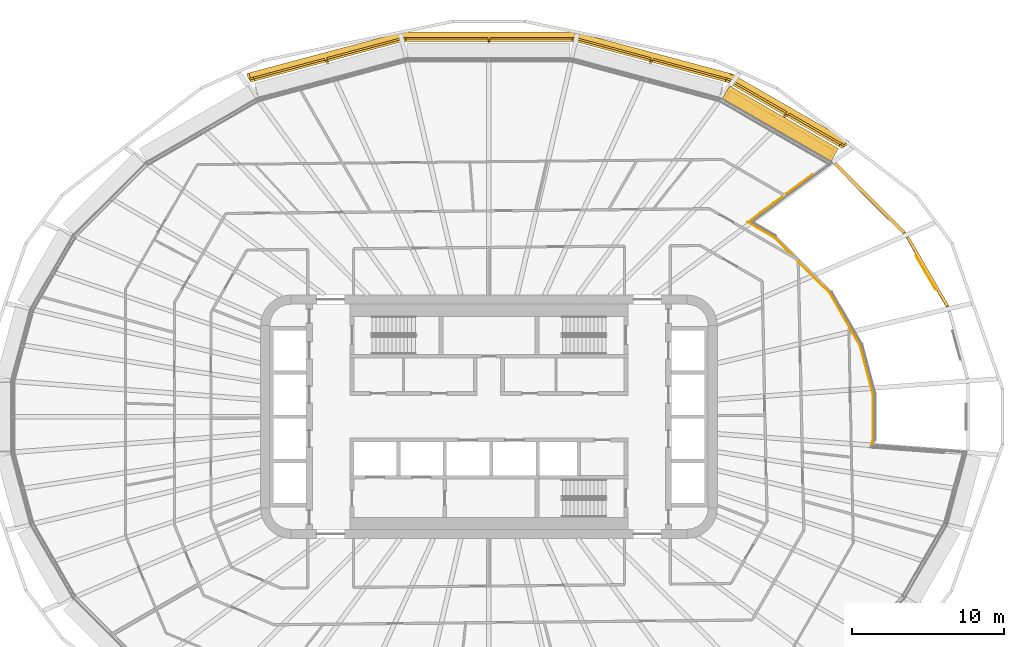
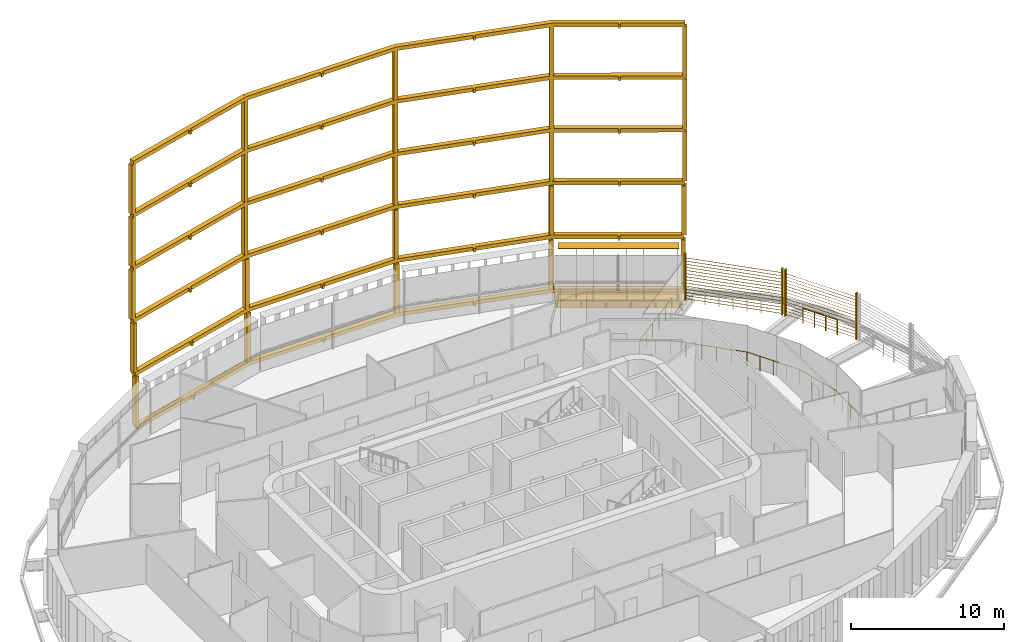
# One storey, part 27 of 28: 5 shading devices, 2 railings.
"""IFC4 building model written with IfcOpenShell, lengths in metres."""

from ifc_helpers import new_model, si_unit, direction, frame, origin, origin_2d, place, context, subcontext, project, spatial, polyline, rectangle, circle, outline, extrude, material, type_object, element, save


model = new_model("IFC4")

# Units and contexts
model_context = context("Model", 3, precision=1e-05, world=origin(), true_north=direction((0.0, 1.0)))
body_context = subcontext(model_context, "Body", "Model", "MODEL_VIEW")
ifc_project = project(units=[si_unit("LENGTHUNIT", "METRE"), si_unit("AREAUNIT", "SQUARE_METRE"), si_unit("VOLUMEUNIT", "CUBIC_METRE"), si_unit("PLANEANGLEUNIT", "RADIAN"), si_unit("MASSUNIT", "GRAM", prefix="KILO")], contexts=[model_context])

# Site, building, storey
site_placement = place(None, origin())
site = spatial("IfcSite", under=ifc_project, at=site_placement, CompositionType="ELEMENT")
building_placement = place(site_placement, origin())
building = spatial("IfcBuilding", under=site, at=building_placement, Name="Sahrelin Media Tower", CompositionType="ELEMENT")
storey_placement = place(building_placement, frame((0.0, 0.0, 75.60009765625)))
storey = spatial("IfcBuildingStorey", under=building, at=storey_placement, Name="L13", CompositionType="ELEMENT", Elevation=75.60009765625)

# Shading devices
ifc_material_1 = material(Name="Dark bronze anodised aluminium 6063-T6", Category="aluminium")
shading_device_type_1 = type_object("IfcShadingDeviceType", Name="Deep frame", PredefinedType="USERDEFINED", material=ifc_material_1)
shading_device_1_placement = place(storey_placement, frame((22.530029296875, 16.681396484375, 0.0), z_axis=(0.0, 0.0, 1.0), x_axis=(0.866019052629, -0.500011000363, 0.0)))
element("IfcShadingDevice", 1, at=shading_device_1_placement, inside=storey, type_object=shading_device_type_1, Name="L13:FRAME:F1-2", ObjectType="FRAME", PredefinedType="USERDEFINED", context=body_context, shape_type="SweptSolid", body=[
    extrude(rectangle(XDim=0.300048828125, YDim=0.35009765625, at=origin_2d()), frame((0.0, 1.324951171875, 0.14990234375), z_axis=(0.0, 0.0, 1.0), x_axis=(-1.0, 0.0, 0.0)), (0.0, 0.0, 1.0), 3.900146484375),
    extrude(rectangle(XDim=0.300048828125, YDim=0.35009765625, at=origin_2d()), frame((-8.617919921875, 1.313720703125, 0.14990234375), z_axis=(0.0, 0.0, 1.0), x_axis=(-0.991434606813, -0.130604059715, 0.0)), (0.0, 0.0, 1.0), 3.900146484375),
    extrude(rectangle(XDim=0.300048828125, YDim=0.35009765625, at=origin_2d()), frame((-18.732177734375, -1.396484375, 0.14990234375), z_axis=(0.0, 0.0, 1.0), x_axis=(-0.923912256654, -0.382604419741, 0.0)), (0.0, 0.0, 1.0), 3.900146484375),
    extrude(rectangle(XDim=0.300048828125, YDim=0.35009765625, at=origin_2d()), frame((-28.447998046875, -7.006103515625, 0.14990234375), z_axis=(0.0, 0.0, 1.0), x_axis=(-0.793400087474, -0.608700502051, 0.0)), (0.0, 0.0, 1.0), 3.900146484375),
    extrude(rectangle(XDim=0.300048828125, YDim=0.35009765625, at=origin_2d()), frame((-35.73779296875, -14.27978515625, 0.14990234375), z_axis=(0.0, 0.0, 1.0), x_axis=(-0.707106781187, -0.707106781187, 0.0)), (0.0, 0.0, 1.0), 3.900146484375),
    extrude(outline(polyline([(-4.297607421875, 0.969970703125), (-4.1474609375, 0.969970703125), (-4.1474609375, 1.14453125), (0.000244140625, 1.14990234375), (-0.000244140625, 1.5), (-8.6181640625, 1.48876953125), (-8.617919921875, 1.313720703125), (-8.6630859375, 1.482666015625), (-18.77734375, -1.227294921875), (-18.732177734375, -1.396484375), (-18.819580078125, -1.244873046875), (-28.535400390625, -6.8544921875), (-28.447998046875, -7.006103515625), (-28.571533203125, -6.882080078125), (-35.861328125, -14.156005859375), (-35.614013671875, -14.40380859375), (-32.08349609375, -10.880615234375), (-31.9599609375, -11.004150390625), (-31.85400390625, -10.89794921875), (-31.977294921875, -10.774658203125), (-28.340576171875, -7.14599609375), (-23.5673828125, -4.390380859375), (-23.483154296875, -4.536376953125), (-23.353271484375, -4.461181640625), (-23.4375, -4.315185546875), (-18.66455078125, -1.5595703125), (-13.7021484375, -0.229736328125), (-13.658447265625, -0.392822265625), (-13.513671875, -0.35400390625), (-13.55712890625, -0.19091796875), (-8.5947265625, 1.138671875), (-4.297607421875, 1.144287109375), (-4.297607421875, 0.969970703125)])), frame((0.0, 0.0, -0.14990234375)), (0.0, 0.0, 1.0), 0.2998046875),
    extrude(rectangle(XDim=0.300048828125, YDim=0.35009765625, at=origin_2d()), frame((0.061279296875, 1.476318359375, 4.35009765625), z_axis=(0.0, 0.0, 1.0), x_axis=(-1.0, 0.0, 0.0)), (0.0, 0.0, 1.0), 3.89990234375),
    extrude(rectangle(XDim=0.300048828125, YDim=0.35009765625, at=origin_2d()), frame((-8.60546875, 1.46484375, 4.35009765625), z_axis=(0.0, 0.0, 1.0), x_axis=(-0.991449189241, -0.130493314592, 0.0)), (0.0, 0.0, 1.0), 3.89990234375),
    extrude(rectangle(XDim=0.300048828125, YDim=0.35009765625, at=origin_2d()), frame((-18.775390625, -1.260009765625, 4.35009765625), z_axis=(0.0, 0.0, 1.0), x_axis=(-0.923862165937, -0.382725356294, 0.0)), (0.0, 0.0, 1.0), 3.89990234375),
    extrude(rectangle(XDim=0.300048828125, YDim=0.35009765625, at=origin_2d()), frame((-28.544189453125, -6.900390625, 4.35009765625), z_axis=(0.0, 0.0, 1.0), x_axis=(-0.793352277801, -0.608762813671, 0.0)), (0.0, 0.0, 1.0), 3.89990234375),
    extrude(rectangle(XDim=0.300048828125, YDim=0.35009765625, at=origin_2d()), frame((-35.874755859375, -14.21484375, 4.35009765625), z_axis=(0.0, 0.0, 1.0), x_axis=(-0.707106781187, -0.707106781187, 0.0)), (0.0, 0.0, 1.0), 3.89990234375),
    extrude(outline(polyline([(-4.2607421875, 1.121337890625), (-4.110595703125, 1.121337890625), (-4.110595703125, 1.2958984375), (0.0615234375, 1.30126953125), (0.06103515625, 1.6513671875), (-8.605712890625, 1.639892578125), (-8.60546875, 1.46484375), (-8.65087890625, 1.6337890625), (-18.820556640625, -1.091064453125), (-18.775390625, -1.260009765625), (-18.86279296875, -1.108642578125), (-28.6318359375, -6.748779296875), (-28.544189453125, -6.900390625), (-28.66796875, -6.7763671875), (-35.998291015625, -14.091064453125), (-35.751220703125, -14.3388671875), (-32.2001953125, -10.79541015625), (-32.076904296875, -10.918701171875), (-31.970703125, -10.812744140625), (-32.093994140625, -10.689453125), (-28.43701171875, -7.040283203125), (-23.63720703125, -4.269287109375), (-23.552978515625, -4.415283203125), (-23.423095703125, -4.34033203125), (-23.50732421875, -4.1943359375), (-18.707763671875, -1.423095703125), (-13.717529296875, -0.086181640625), (-13.673828125, -0.2490234375), (-13.529052734375, -0.210205078125), (-13.57275390625, -0.047119140625), (-8.58251953125, 1.289794921875), (-4.2607421875, 1.295654296875), (-4.2607421875, 1.121337890625)])), frame((0.0, 0.0, 4.050048828125)), (0.0, 0.0, 1.0), 0.300048828125),
    extrude(rectangle(XDim=0.300048828125, YDim=0.35009765625, at=origin_2d()), frame((0.114990234375, 1.6083984375, 8.550048828125), z_axis=(0.0, 0.0, 1.0), x_axis=(-1.0, 0.0, 0.0)), (0.0, 0.0, 1.0), 3.89990234375),
    extrude(rectangle(XDim=0.300048828125, YDim=0.35009765625, at=origin_2d()), frame((-8.5947265625, 1.59716796875, 8.550048828125), z_axis=(0.0, 0.0, 1.0), x_axis=(-0.991447594891, -0.130505427419, 0.0)), (0.0, 0.0, 1.0), 3.89990234375),
    extrude(rectangle(XDim=0.300048828125, YDim=0.35009765625, at=origin_2d()), frame((-18.813232421875, -1.140869140625, 8.550048828125), z_axis=(0.0, 0.0, 1.0), x_axis=(-0.923876860854, -0.382689882252, 0.0)), (0.0, 0.0, 1.0), 3.89990234375),
    extrude(rectangle(XDim=0.300048828125, YDim=0.35009765625, at=origin_2d()), frame((-28.628662109375, -6.807861328125, 8.550048828125), z_axis=(0.0, 0.0, 1.0), x_axis=(-0.793315089117, -0.608811275668, 0.0)), (0.0, 0.0, 1.0), 3.89990234375),
    extrude(rectangle(XDim=0.300048828125, YDim=0.35009765625, at=origin_2d()), frame((-35.994873046875, -14.158203125, 8.550048828125), z_axis=(0.0, 0.0, 1.0), x_axis=(-0.707106781187, -0.707106781187, 0.0)), (0.0, 0.0, 1.0), 3.89990234375),
    extrude(outline(polyline([(-4.228515625, 1.253662109375), (-4.078369140625, 1.253662109375), (-4.078369140625, 1.427978515625), (0.114990234375, 1.43359375), (0.11474609375, 1.783447265625), (-8.594970703125, 1.772216796875), (-8.5947265625, 1.59716796875), (-8.64013671875, 1.766357421875), (-18.8583984375, -0.971923828125), (-18.813232421875, -1.140869140625), (-18.900634765625, -0.9892578125), (-28.71630859375, -6.65625), (-28.628662109375, -6.807861328125), (-28.752197265625, -6.68408203125), (-36.118408203125, -14.0341796875), (-35.87109375, -14.281982421875), (-32.30224609375, -10.720703125), (-32.178955078125, -10.84423828125), (-32.07275390625, -10.738037109375), (-32.196044921875, -10.61474609375), (-28.521240234375, -6.947998046875), (-23.698486328125, -4.163330078125), (-23.614013671875, -4.3095703125), (-23.484130859375, -4.234619140625), (-23.568603515625, -4.08837890625), (-18.74560546875, -1.303955078125), (-13.731201171875, 0.039794921875), (-13.6875, -0.123291015625), (-13.54248046875, -0.08447265625), (-13.586181640625, 0.07861328125), (-8.571533203125, 1.422119140625), (-4.228515625, 1.427978515625), (-4.228515625, 1.253662109375)])), frame((0.0, 0.0, 8.25)), (0.0, 0.0, 1.0), 0.300048828125),
    extrude(rectangle(XDim=0.300048828125, YDim=0.35009765625, at=origin_2d()), frame((0.114990234375, 1.6083984375, 12.75), z_axis=(0.0, 0.0, 1.0), x_axis=(-1.0, 0.0, 0.0)), (0.0, 0.0, 1.0), 3.89990234375),
    extrude(rectangle(XDim=0.300048828125, YDim=0.35009765625, at=origin_2d()), frame((-8.5947265625, 1.59716796875, 12.75), z_axis=(0.0, 0.0, 1.0), x_axis=(-0.991447594891, -0.130505427419, 0.0)), (0.0, 0.0, 1.0), 3.89990234375),
    extrude(rectangle(XDim=0.300048828125, YDim=0.35009765625, at=origin_2d()), frame((-18.813232421875, -1.140869140625, 12.75), z_axis=(0.0, 0.0, 1.0), x_axis=(-0.923876860854, -0.382689882252, 0.0)), (0.0, 0.0, 1.0), 3.89990234375),
    extrude(rectangle(XDim=0.300048828125, YDim=0.35009765625, at=origin_2d()), frame((-28.628662109375, -6.807861328125, 12.75), z_axis=(0.0, 0.0, 1.0), x_axis=(-0.793315089117, -0.608811275668, 0.0)), (0.0, 0.0, 1.0), 3.89990234375),
    extrude(rectangle(XDim=0.300048828125, YDim=0.35009765625, at=origin_2d()), frame((-35.994873046875, -14.158203125, 12.75), z_axis=(0.0, 0.0, 1.0), x_axis=(-0.707106781187, -0.707106781187, 0.0)), (0.0, 0.0, 1.0), 3.89990234375),
    extrude(outline(polyline([(-4.228515625, 1.253662109375), (-4.078369140625, 1.253662109375), (-4.078369140625, 1.427978515625), (0.114990234375, 1.43359375), (0.11474609375, 1.783447265625), (-8.594970703125, 1.772216796875), (-8.5947265625, 1.59716796875), (-8.64013671875, 1.766357421875), (-18.8583984375, -0.971923828125), (-18.813232421875, -1.140869140625), (-18.900634765625, -0.9892578125), (-28.71630859375, -6.65625), (-28.628662109375, -6.807861328125), (-28.752197265625, -6.68408203125), (-36.118408203125, -14.0341796875), (-35.87109375, -14.281982421875), (-32.30224609375, -10.720703125), (-32.178955078125, -10.84423828125), (-32.07275390625, -10.738037109375), (-32.196044921875, -10.61474609375), (-28.521240234375, -6.947998046875), (-23.698486328125, -4.163330078125), (-23.614013671875, -4.3095703125), (-23.484130859375, -4.234619140625), (-23.568603515625, -4.08837890625), (-18.74560546875, -1.303955078125), (-13.731201171875, 0.039794921875), (-13.6875, -0.123291015625), (-13.54248046875, -0.08447265625), (-13.586181640625, 0.07861328125), (-8.571533203125, 1.422119140625), (-4.228515625, 1.427978515625), (-4.228515625, 1.253662109375)])), frame((0.0, 0.0, 12.449951171875)), (0.0, 0.0, 1.0), 0.300048828125),
    extrude(rectangle(XDim=0.300048828125, YDim=0.35009765625, at=origin_2d()), frame((0.114990234375, 1.6083984375, 16.949951171875), z_axis=(0.0, 0.0, 1.0), x_axis=(-1.0, 0.0, 0.0)), (0.0, 0.0, 1.0), 3.900146484375),
    extrude(rectangle(XDim=0.300048828125, YDim=0.35009765625, at=origin_2d()), frame((-8.5947265625, 1.59716796875, 16.949951171875), z_axis=(0.0, 0.0, 1.0), x_axis=(-0.991447594891, -0.130505427419, 0.0)), (0.0, 0.0, 1.0), 3.900146484375),
    extrude(rectangle(XDim=0.300048828125, YDim=0.35009765625, at=origin_2d()), frame((-18.813232421875, -1.140869140625, 16.949951171875), z_axis=(0.0, 0.0, 1.0), x_axis=(-0.923876860854, -0.382689882252, 0.0)), (0.0, 0.0, 1.0), 3.900146484375),
    extrude(rectangle(XDim=0.300048828125, YDim=0.35009765625, at=origin_2d()), frame((-28.628662109375, -6.807861328125, 16.949951171875), z_axis=(0.0, 0.0, 1.0), x_axis=(-0.793315089117, -0.608811275668, 0.0)), (0.0, 0.0, 1.0), 3.900146484375),
    extrude(rectangle(XDim=0.300048828125, YDim=0.35009765625, at=origin_2d()), frame((-35.994873046875, -14.158203125, 16.949951171875), z_axis=(0.0, 0.0, 1.0), x_axis=(-0.707106781187, -0.707106781187, 0.0)), (0.0, 0.0, 1.0), 3.900146484375),
    extrude(outline(polyline([(-4.228515625, 1.253662109375), (-4.078369140625, 1.253662109375), (-4.078369140625, 1.427978515625), (0.114990234375, 1.43359375), (0.11474609375, 1.783447265625), (-8.594970703125, 1.772216796875), (-8.5947265625, 1.59716796875), (-8.64013671875, 1.766357421875), (-18.8583984375, -0.971923828125), (-18.813232421875, -1.140869140625), (-18.900634765625, -0.9892578125), (-28.71630859375, -6.65625), (-28.628662109375, -6.807861328125), (-28.752197265625, -6.68408203125), (-36.118408203125, -14.0341796875), (-35.87109375, -14.281982421875), (-32.30224609375, -10.720703125), (-32.178955078125, -10.84423828125), (-32.07275390625, -10.738037109375), (-32.196044921875, -10.61474609375), (-28.521240234375, -6.947998046875), (-23.698486328125, -4.163330078125), (-23.614013671875, -4.3095703125), (-23.484130859375, -4.234619140625), (-23.568603515625, -4.08837890625), (-18.74560546875, -1.303955078125), (-13.731201171875, 0.039794921875), (-13.6875, -0.123291015625), (-13.54248046875, -0.08447265625), (-13.586181640625, 0.07861328125), (-8.571533203125, 1.422119140625), (-4.228515625, 1.427978515625), (-4.228515625, 1.253662109375)])), frame((0.0, 0.0, 16.64990234375)), (0.0, 0.0, 1.0), 0.300048828125),
    extrude(outline(polyline([(-4.228515625, 1.253662109375), (-4.078369140625, 1.253662109375), (-4.078369140625, 1.427978515625), (0.114990234375, 1.43359375), (0.11474609375, 1.783447265625), (-8.594970703125, 1.772216796875), (-8.5947265625, 1.59716796875), (-8.64013671875, 1.766357421875), (-18.8583984375, -0.971923828125), (-18.813232421875, -1.140869140625), (-18.900634765625, -0.9892578125), (-28.71630859375, -6.65625), (-28.628662109375, -6.807861328125), (-28.752197265625, -6.68408203125), (-36.118408203125, -14.0341796875), (-35.87109375, -14.281982421875), (-32.30224609375, -10.720703125), (-32.178955078125, -10.84423828125), (-32.07275390625, -10.738037109375), (-32.196044921875, -10.61474609375), (-28.521240234375, -6.947998046875), (-23.698486328125, -4.163330078125), (-23.614013671875, -4.3095703125), (-23.484130859375, -4.234619140625), (-23.568603515625, -4.08837890625), (-18.74560546875, -1.303955078125), (-13.731201171875, 0.039794921875), (-13.6875, -0.123291015625), (-13.54248046875, -0.08447265625), (-13.586181640625, 0.07861328125), (-8.571533203125, 1.422119140625), (-4.228515625, 1.427978515625), (-4.228515625, 1.253662109375)])), frame((0.0, 0.0, 20.85009765625)), (0.0, 0.0, 1.0), 0.2998046875),
])
ifc_material_2 = material(Name="Champagne anodised aluminium 6063-T6", Category="aluminium")
shading_device_type_2 = type_object("IfcShadingDeviceType", Name="Fin cassette", PredefinedType="USERDEFINED", material=ifc_material_2)
placement = place(storey_placement, frame((18.873291015625, 18.79248046875, 0.0), z_axis=(0.0, 0.0, 1.0), x_axis=(0.866019052629, -0.500011000363, 0.0)))
element("IfcShadingDevice", 2, at=placement, inside=storey, type_object=shading_device_type_2, Name="L13:FIN:L13-04", ObjectType="FIN", PredefinedType="USERDEFINED", context=body_context, shape_type="SweptSolid", body=[
    extrude(rectangle(XDim=7.89990234375, YDim=0.699951171875, at=origin_2d()), frame((0.0, 0.419921875, 0.0)), (0.0, 0.0, 1.0), 0.02001953125),
    extrude(rectangle(XDim=7.89990234375, YDim=0.699951171875, at=origin_2d()), frame((0.0, 0.419921875, 4.10009765625)), (0.0, 0.0, 1.0), 0.02001953125),
    extrude(rectangle(XDim=0.02001953125, YDim=0.699951171875, at=origin_2d()), frame((-3.85009765625, 0.419921875, 0.010009765625), z_axis=(0.0, 0.0, 1.0), x_axis=(1.0, 0.0, 0.0)), (0.0, 0.0, 1.0), 4.10009765625),
    extrude(rectangle(XDim=0.02001953125, YDim=0.699951171875, at=origin_2d()), frame((-2.75, 0.419921875, 0.010009765625), z_axis=(0.0, 0.0, 1.0), x_axis=(1.0, 0.0, 0.0)), (0.0, 0.0, 1.0), 4.10009765625),
    extrude(rectangle(XDim=0.02001953125, YDim=0.699951171875, at=origin_2d()), frame((-1.64990234375, 0.419921875, 0.010009765625), z_axis=(0.0, 0.0, 1.0), x_axis=(1.0, 0.0, 0.0)), (0.0, 0.0, 1.0), 4.10009765625),
    extrude(rectangle(XDim=0.02001953125, YDim=0.699951171875, at=origin_2d()), frame((-0.550048828125, 0.419921875, 0.010009765625), z_axis=(0.0, 0.0, 1.0), x_axis=(1.0, 0.0, 0.0)), (0.0, 0.0, 1.0), 4.10009765625),
    extrude(rectangle(XDim=0.02001953125, YDim=0.699951171875, at=origin_2d()), frame((0.550048828125, 0.419921875, 0.010009765625), z_axis=(0.0, 0.0, 1.0), x_axis=(1.0, 0.0, 0.0)), (0.0, 0.0, 1.0), 4.10009765625),
    extrude(rectangle(XDim=0.02001953125, YDim=0.699951171875, at=origin_2d()), frame((1.64990234375, 0.419921875, 0.010009765625), z_axis=(0.0, 0.0, 1.0), x_axis=(1.0, 0.0, 0.0)), (0.0, 0.0, 1.0), 4.10009765625),
    extrude(rectangle(XDim=0.02001953125, YDim=0.699951171875, at=origin_2d()), frame((2.75, 0.419921875, 0.010009765625), z_axis=(0.0, 0.0, 1.0), x_axis=(1.0, 0.0, 0.0)), (0.0, 0.0, 1.0), 4.10009765625),
    extrude(rectangle(XDim=0.02001953125, YDim=0.699951171875, at=origin_2d()), frame((3.85009765625, 0.419921875, 0.010009765625), z_axis=(0.0, 0.0, 1.0), x_axis=(1.0, 0.0, 0.0)), (0.0, 0.0, 1.0), 4.10009765625),
])
shading_device_type_3 = type_object("IfcShadingDeviceType", Name="Garden screen", PredefinedType="USERDEFINED", material=ifc_material_2)
shading_device_3_placement = place(storey_placement, frame((28.711181640625, 9.48046875, 0.0), z_axis=(0.0, 0.0, 1.0), x_axis=(0.500011000363, -0.866019052629, 0.0)))
element("IfcShadingDevice", 3, at=shading_device_3_placement, inside=storey, type_object=shading_device_type_3, Name="L13:SCREEN:L13-02", ObjectType="SCREEN", PredefinedType="USERDEFINED", context=body_context, shape_type="SweptSolid", body=[
    extrude(rectangle(XDim=0.1201171875, YDim=0.199951171875, at=origin_2d()), frame((2.675537109375, 0.10009765625, 0.050048828125), z_axis=(0.0, 0.0, 1.0), x_axis=(1.0, 0.0, 0.0)), (0.0, 0.0, 1.0), 3.698486328125),
    extrude(rectangle(XDim=0.1201171875, YDim=0.199951171875, at=origin_2d()), frame((-2.675537109375, 0.10009765625, 0.050048828125), z_axis=(0.0, 0.0, 1.0), x_axis=(1.0, 0.0, 0.0)), (0.0, 0.0, 1.0), 3.698486328125),
    extrude(rectangle(XDim=0.25, YDim=0.02001953125, at=origin_2d()), frame((2.615478515625, 0.10009765625, 0.14990234375), z_axis=(-1.0, 0.0, 0.0), x_axis=(0.0, -0.766044443119, 0.642787609687)), (0.0, 0.0, 1.0), 5.23095703125),
    extrude(rectangle(XDim=0.25, YDim=0.02001953125, at=origin_2d()), frame((2.615478515625, 0.10009765625, 0.39990234375), z_axis=(-1.0, 0.0, 0.0), x_axis=(0.0, -0.766044443119, 0.642787609687)), (0.0, 0.0, 1.0), 5.23095703125),
    extrude(rectangle(XDim=0.25, YDim=0.02001953125, at=origin_2d()), frame((2.615478515625, 0.10009765625, 0.64990234375), z_axis=(-1.0, 0.0, 0.0), x_axis=(0.0, -0.766044443119, 0.642787609687)), (0.0, 0.0, 1.0), 5.23095703125),
    extrude(rectangle(XDim=0.25, YDim=0.02001953125, at=origin_2d()), frame((2.615478515625, 0.10009765625, 0.89990234375), z_axis=(-1.0, 0.0, 0.0), x_axis=(0.0, -0.766044443119, 0.642787609687)), (0.0, 0.0, 1.0), 5.23095703125),
    extrude(rectangle(XDim=0.25, YDim=0.02001953125, at=origin_2d()), frame((2.615478515625, 0.10009765625, 1.14990234375), z_axis=(-1.0, 0.0, 0.0), x_axis=(0.0, -0.766044443119, 0.642787609687)), (0.0, 0.0, 1.0), 5.23095703125),
    extrude(rectangle(XDim=0.25, YDim=0.02001953125, at=origin_2d()), frame((2.615478515625, 0.10009765625, 1.39990234375), z_axis=(-1.0, 0.0, 0.0), x_axis=(0.0, -0.766044443119, 0.642787609687)), (0.0, 0.0, 1.0), 5.23095703125),
    extrude(rectangle(XDim=0.25, YDim=0.02001953125, at=origin_2d()), frame((2.615478515625, 0.10009765625, 1.64990234375), z_axis=(-1.0, 0.0, 0.0), x_axis=(0.0, -0.766044443119, 0.642787609687)), (0.0, 0.0, 1.0), 5.23095703125),
    extrude(rectangle(XDim=0.25, YDim=0.02001953125, at=origin_2d()), frame((2.615478515625, 0.10009765625, 1.89990234375), z_axis=(-1.0, 0.0, 0.0), x_axis=(0.0, -0.766044443119, 0.642787609687)), (0.0, 0.0, 1.0), 5.23095703125),
    extrude(rectangle(XDim=0.25, YDim=0.02001953125, at=origin_2d()), frame((2.615478515625, 0.10009765625, 2.14990234375), z_axis=(-1.0, 0.0, 0.0), x_axis=(0.0, -0.766044443119, 0.642787609687)), (0.0, 0.0, 1.0), 5.23095703125),
    extrude(rectangle(XDim=0.25, YDim=0.02001953125, at=origin_2d()), frame((2.615478515625, 0.10009765625, 2.39990234375), z_axis=(-1.0, 0.0, 0.0), x_axis=(0.0, -0.766044443119, 0.642787609687)), (0.0, 0.0, 1.0), 5.23095703125),
    extrude(rectangle(XDim=0.25, YDim=0.02001953125, at=origin_2d()), frame((2.615478515625, 0.10009765625, 2.64990234375), z_axis=(-1.0, 0.0, 0.0), x_axis=(0.0, -0.766044443119, 0.642787609687)), (0.0, 0.0, 1.0), 5.23095703125),
    extrude(rectangle(XDim=0.25, YDim=0.02001953125, at=origin_2d()), frame((2.615478515625, 0.10009765625, 2.89990234375), z_axis=(-1.0, 0.0, 0.0), x_axis=(0.0, -0.766044443119, 0.642787609687)), (0.0, 0.0, 1.0), 5.23095703125),
    extrude(rectangle(XDim=0.25, YDim=0.02001953125, at=origin_2d()), frame((2.615478515625, 0.10009765625, 3.14990234375), z_axis=(-1.0, 0.0, 0.0), x_axis=(0.0, -0.766044443119, 0.642787609687)), (0.0, 0.0, 1.0), 5.23095703125),
    extrude(rectangle(XDim=0.25, YDim=0.02001953125, at=origin_2d()), frame((2.615478515625, 0.10009765625, 3.39990234375), z_axis=(-1.0, 0.0, 0.0), x_axis=(0.0, -0.766044443119, 0.642787609687)), (0.0, 0.0, 1.0), 5.23095703125),
])
shading_device_4_placement = place(storey_placement, frame((24.92431640625, 14.287109375, 0.0), z_axis=(0.0, 0.0, 1.0), x_axis=(0.707106781187, -0.707106781187, 0.0)))
element("IfcShadingDevice", 4, at=shading_device_4_placement, inside=storey, type_object=shading_device_type_3, Name="L13:SCREEN:L13-03", ObjectType="SCREEN", PredefinedType="USERDEFINED", context=body_context, shape_type="SweptSolid", body=[
    extrude(rectangle(XDim=0.1201171875, YDim=0.199951171875, at=origin_2d()), frame((3.27587890625, 0.10009765625, 0.050048828125), z_axis=(0.0, 0.0, 1.0), x_axis=(1.0, 0.0, 0.0)), (0.0, 0.0, 1.0), 3.698486328125),
    extrude(rectangle(XDim=0.1201171875, YDim=0.199951171875, at=origin_2d()), frame((-3.27587890625, 0.10009765625, 0.050048828125), z_axis=(0.0, 0.0, 1.0), x_axis=(1.0, 0.0, 0.0)), (0.0, 0.0, 1.0), 3.698486328125),
    extrude(rectangle(XDim=0.25, YDim=0.02001953125, at=origin_2d()), frame((3.2158203125, 0.10009765625, 0.14990234375), z_axis=(-1.0, 0.0, 0.0), x_axis=(0.0, -0.766044443119, 0.642787609687)), (0.0, 0.0, 1.0), 6.431640625),
    extrude(rectangle(XDim=0.25, YDim=0.02001953125, at=origin_2d()), frame((3.2158203125, 0.10009765625, 0.39990234375), z_axis=(-1.0, 0.0, 0.0), x_axis=(0.0, -0.766044443119, 0.642787609687)), (0.0, 0.0, 1.0), 6.431640625),
    extrude(rectangle(XDim=0.25, YDim=0.02001953125, at=origin_2d()), frame((3.2158203125, 0.10009765625, 0.64990234375), z_axis=(-1.0, 0.0, 0.0), x_axis=(0.0, -0.766044443119, 0.642787609687)), (0.0, 0.0, 1.0), 6.431640625),
    extrude(rectangle(XDim=0.25, YDim=0.02001953125, at=origin_2d()), frame((3.2158203125, 0.10009765625, 0.89990234375), z_axis=(-1.0, 0.0, 0.0), x_axis=(0.0, -0.766044443119, 0.642787609687)), (0.0, 0.0, 1.0), 6.431640625),
    extrude(rectangle(XDim=0.25, YDim=0.02001953125, at=origin_2d()), frame((3.2158203125, 0.10009765625, 1.14990234375), z_axis=(-1.0, 0.0, 0.0), x_axis=(0.0, -0.766044443119, 0.642787609687)), (0.0, 0.0, 1.0), 6.431640625),
    extrude(rectangle(XDim=0.25, YDim=0.02001953125, at=origin_2d()), frame((3.2158203125, 0.10009765625, 1.39990234375), z_axis=(-1.0, 0.0, 0.0), x_axis=(0.0, -0.766044443119, 0.642787609687)), (0.0, 0.0, 1.0), 6.431640625),
    extrude(rectangle(XDim=0.25, YDim=0.02001953125, at=origin_2d()), frame((3.2158203125, 0.10009765625, 1.64990234375), z_axis=(-1.0, 0.0, 0.0), x_axis=(0.0, -0.766044443119, 0.642787609687)), (0.0, 0.0, 1.0), 6.431640625),
    extrude(rectangle(XDim=0.25, YDim=0.02001953125, at=origin_2d()), frame((3.2158203125, 0.10009765625, 1.89990234375), z_axis=(-1.0, 0.0, 0.0), x_axis=(0.0, -0.766044443119, 0.642787609687)), (0.0, 0.0, 1.0), 6.431640625),
    extrude(rectangle(XDim=0.25, YDim=0.02001953125, at=origin_2d()), frame((3.2158203125, 0.10009765625, 2.14990234375), z_axis=(-1.0, 0.0, 0.0), x_axis=(0.0, -0.766044443119, 0.642787609687)), (0.0, 0.0, 1.0), 6.431640625),
    extrude(rectangle(XDim=0.25, YDim=0.02001953125, at=origin_2d()), frame((3.2158203125, 0.10009765625, 2.39990234375), z_axis=(-1.0, 0.0, 0.0), x_axis=(0.0, -0.766044443119, 0.642787609687)), (0.0, 0.0, 1.0), 6.431640625),
    extrude(rectangle(XDim=0.25, YDim=0.02001953125, at=origin_2d()), frame((3.2158203125, 0.10009765625, 2.64990234375), z_axis=(-1.0, 0.0, 0.0), x_axis=(0.0, -0.766044443119, 0.642787609687)), (0.0, 0.0, 1.0), 6.431640625),
    extrude(rectangle(XDim=0.25, YDim=0.02001953125, at=origin_2d()), frame((3.2158203125, 0.10009765625, 2.89990234375), z_axis=(-1.0, 0.0, 0.0), x_axis=(0.0, -0.766044443119, 0.642787609687)), (0.0, 0.0, 1.0), 6.431640625),
    extrude(rectangle(XDim=0.25, YDim=0.02001953125, at=origin_2d()), frame((3.2158203125, 0.10009765625, 3.14990234375), z_axis=(-1.0, 0.0, 0.0), x_axis=(0.0, -0.766044443119, 0.642787609687)), (0.0, 0.0, 1.0), 6.431640625),
    extrude(rectangle(XDim=0.25, YDim=0.02001953125, at=origin_2d()), frame((3.2158203125, 0.10009765625, 3.39990234375), z_axis=(-1.0, 0.0, 0.0), x_axis=(0.0, -0.766044443119, 0.642787609687)), (0.0, 0.0, 1.0), 6.431640625),
])

# Railings
ifc_material_3 = material(Name="Stainless steel 316", Category="steel")
railing_type = type_object("IfcRailingType", Name="Sky garden guard", PredefinedType="GUARDRAIL", material=ifc_material_3)
railing_1_placement = place(storey_placement, frame((25.08935546875, -2.021728515625, 0.0)))
element("IfcRailing", 5, at=railing_1_placement, inside=storey, type_object=railing_type, Name="Sky garden void guard G1-1", PredefinedType="GUARDRAIL", context=body_context, shape_type="SweptSolid", body=[
    extrude(circle(Radius=0.02392578125, at=origin_2d()), frame((0.0, 0.0, 1.17578125), z_axis=(0.258768081506, 0.965939480503, 0.0), x_axis=(-0.965939480503, 0.258768081506, 0.0)), (0.0, 0.0, 1.0), 0.508544921875),
    extrude(circle(Radius=0.02392578125, at=origin_2d()), frame((0.131591796875, 0.4912109375, 1.17578125), z_axis=(0.0, 1.0, 0.0), x_axis=(-1.0, 0.0, 0.0)), (0.0, 0.0, 1.0), 3.06103515625),
    extrude(circle(Radius=0.02392578125, at=origin_2d()), frame((0.131591796875, 3.55224609375, 1.17578125), z_axis=(-0.258794455145, 0.965932414813, 0.0), x_axis=(-0.965932414813, -0.258794455145, 0.0)), (0.0, 0.0, 1.0), 3.275390625),
    extrude(circle(Radius=0.02392578125, at=origin_2d()), frame((-0.716064453125, 6.716064453125, 1.17578125), z_axis=(-0.500032615121, 0.866006572617, 0.0), x_axis=(-0.866006572617, -0.500032615121, 0.0)), (0.0, 0.0, 1.0), 3.951904296875),
    extrude(circle(Radius=0.02392578125, at=origin_2d()), frame((-2.692138671875, 10.138427734375, 1.17578125), z_axis=(-0.707106781187, 0.707106781187, 0.0), x_axis=(-0.707106781187, -0.707106781187, 0.0)), (0.0, 0.0, 1.0), 5.15234375),
    extrude(circle(Radius=0.02392578125, at=origin_2d()), frame((-6.33544921875, 13.78173828125, 1.17578125), z_axis=(-0.865964816904, 0.500104924875, 0.0), x_axis=(-0.500104924875, -0.865964816904, 0.0)), (0.0, 0.0, 1.0), 2.02587890625),
    extrude(circle(Radius=0.02392578125, at=origin_2d()), frame((-8.08984375, 14.794921875, 1.17578125), z_axis=(0.803705330501, 0.595027513417, 0.0), x_axis=(-0.595027513417, 0.803705330501, 0.0)), (0.0, 0.0, 1.0), 5.283447265625),
    extrude(circle(Radius=0.02099609375, at=origin_2d()), origin(), (0.0, 0.0, 1.0), 1.15185546875),
    extrude(circle(Radius=0.02099609375, at=origin_2d()), frame((0.131591796875, 0.4912109375, 0.0)), (0.0, 0.0, 1.0), 1.15185546875),
    extrude(circle(Radius=0.02099609375, at=origin_2d()), frame((0.131591796875, 1.511474609375, 0.0)), (0.0, 0.0, 1.0), 1.15185546875),
    extrude(circle(Radius=0.02099609375, at=origin_2d()), frame((0.131591796875, 2.531982421875, 0.0)), (0.0, 0.0, 1.0), 1.15185546875),
    extrude(circle(Radius=0.02099609375, at=origin_2d()), frame((0.131591796875, 3.55224609375, 0.0)), (0.0, 0.0, 1.0), 1.15185546875),
    extrude(circle(Radius=0.02099609375, at=origin_2d()), frame((-0.15087890625, 4.60693359375, 0.0)), (0.0, 0.0, 1.0), 1.15185546875),
    extrude(circle(Radius=0.02099609375, at=origin_2d()), frame((-0.43359375, 5.661376953125, 0.0)), (0.0, 0.0, 1.0), 1.15185546875),
    extrude(circle(Radius=0.02099609375, at=origin_2d()), frame((-0.716064453125, 6.716064453125, 0.0)), (0.0, 0.0, 1.0), 1.15185546875),
    extrude(circle(Radius=0.02099609375, at=origin_2d()), frame((-1.2099609375, 7.57177734375, 0.0)), (0.0, 0.0, 1.0), 1.15185546875),
    extrude(circle(Radius=0.02099609375, at=origin_2d()), frame((-1.7041015625, 8.42724609375, 0.0)), (0.0, 0.0, 1.0), 1.15185546875),
    extrude(circle(Radius=0.02099609375, at=origin_2d()), frame((-2.1982421875, 9.28271484375, 0.0)), (0.0, 0.0, 1.0), 1.15185546875),
    extrude(circle(Radius=0.02099609375, at=origin_2d()), frame((-2.692138671875, 10.138427734375, 0.0)), (0.0, 0.0, 1.0), 1.15185546875),
    extrude(circle(Radius=0.02099609375, at=origin_2d()), frame((-3.4208984375, 10.8671875, 0.0)), (0.0, 0.0, 1.0), 1.15185546875),
    extrude(circle(Radius=0.02099609375, at=origin_2d()), frame((-4.1494140625, 11.595703125, 0.0)), (0.0, 0.0, 1.0), 1.15185546875),
    extrude(circle(Radius=0.02099609375, at=origin_2d()), frame((-4.878173828125, 12.324462890625, 0.0)), (0.0, 0.0, 1.0), 1.15185546875),
    extrude(circle(Radius=0.02099609375, at=origin_2d()), frame((-5.606689453125, 13.052978515625, 0.0)), (0.0, 0.0, 1.0), 1.15185546875),
    extrude(circle(Radius=0.02099609375, at=origin_2d()), frame((-6.33544921875, 13.78173828125, 0.0)), (0.0, 0.0, 1.0), 1.15185546875),
    extrude(circle(Radius=0.02099609375, at=origin_2d()), frame((-7.212646484375, 14.288330078125, 0.0)), (0.0, 0.0, 1.0), 1.15185546875),
    extrude(circle(Radius=0.02099609375, at=origin_2d()), frame((-8.08984375, 14.794921875, 0.0)), (0.0, 0.0, 1.0), 1.15185546875),
    extrude(circle(Radius=0.02099609375, at=origin_2d()), frame((-7.240478515625, 15.423583984375, 0.0)), (0.0, 0.0, 1.0), 1.15185546875),
    extrude(circle(Radius=0.02099609375, at=origin_2d()), frame((-6.391357421875, 16.052490234375, 0.0)), (0.0, 0.0, 1.0), 1.15185546875),
    extrude(circle(Radius=0.02099609375, at=origin_2d()), frame((-5.5419921875, 16.68115234375, 0.0)), (0.0, 0.0, 1.0), 1.15185546875),
    extrude(circle(Radius=0.02099609375, at=origin_2d()), frame((-4.69287109375, 17.31005859375, 0.0)), (0.0, 0.0, 1.0), 1.15185546875),
    extrude(circle(Radius=0.02099609375, at=origin_2d()), frame((-3.843505859375, 17.938720703125, 0.0)), (0.0, 0.0, 1.0), 1.15185546875),
])
railing_2_placement = place(storey_placement, frame((28.04541015625, 10.5888671875, 0.0)))
element("IfcRailing", 6, at=railing_2_placement, inside=storey, type_object=railing_type, Name="Sky garden void guard G1-3", PredefinedType="GUARDRAIL", context=body_context, shape_type="SweptSolid", body=[
    extrude(circle(Radius=0.02392578125, at=origin_2d()), frame((0.0, 0.0, 1.17578125), z_axis=(0.500000526688, -0.866025099701, 0.0), x_axis=(0.866025099701, 0.500000526688, 0.0)), (0.0, 0.0, 1.0), 2.583984375),
    extrude(circle(Radius=0.02099609375, at=origin_2d()), origin(), (0.0, 0.0, 1.0), 1.15185546875),
    extrude(circle(Radius=0.02099609375, at=origin_2d()), frame((0.4306640625, -0.745849609375, 0.0)), (0.0, 0.0, 1.0), 1.15185546875),
    extrude(circle(Radius=0.02099609375, at=origin_2d()), frame((0.861328125, -1.491943359375, 0.0)), (0.0, 0.0, 1.0), 1.15185546875),
    extrude(circle(Radius=0.02099609375, at=origin_2d()), frame((1.2919921875, -2.23779296875, 0.0)), (0.0, 0.0, 1.0), 1.15185546875),
])

# Shading device
shading_device_type_4 = type_object("IfcShadingDeviceType", Name="Sunshade band", PredefinedType="USERDEFINED", material=ifc_material_2)
element("IfcShadingDevice", 7, at=placement, inside=storey, type_object=shading_device_type_4, Name="L13:SUN:L13-04", ObjectType="SUNSHADE", PredefinedType="USERDEFINED", context=body_context, shape_type="SweptSolid", body=[
    extrude(rectangle(XDim=8.244873046875, YDim=0.050048828125, at=origin_2d()), frame((0.0, 0.044921875, -0.55126953125)), (0.0, 0.0, 1.0), 0.471435546875),
    extrude(rectangle(XDim=8.244873046875, YDim=1.0, at=origin_2d()), frame((0.0, 0.52001953125, -0.080078125)), (0.0, 0.0, 1.0), 0.080078125),
    extrude(rectangle(XDim=0.10009765625, YDim=0.074951171875, at=origin_2d()), frame((-4.0224609375, -0.017578125, -0.47021484375)), (0.0, 0.0, 1.0), 0.300048828125),
    extrude(rectangle(XDim=0.10009765625, YDim=0.074951171875, at=origin_2d()), frame((-2.41357421875, -0.017578125, -0.47021484375)), (0.0, 0.0, 1.0), 0.300048828125),
    extrude(rectangle(XDim=0.10009765625, YDim=0.074951171875, at=origin_2d()), frame((-0.804443359375, -0.017578125, -0.47021484375)), (0.0, 0.0, 1.0), 0.300048828125),
    extrude(rectangle(XDim=0.10009765625, YDim=0.074951171875, at=origin_2d()), frame((0.804443359375, -0.017578125, -0.47021484375)), (0.0, 0.0, 1.0), 0.300048828125),
    extrude(rectangle(XDim=0.10009765625, YDim=0.074951171875, at=origin_2d()), frame((2.41357421875, -0.017578125, -0.47021484375)), (0.0, 0.0, 1.0), 0.300048828125),
    extrude(rectangle(XDim=0.10009765625, YDim=0.074951171875, at=origin_2d()), frame((4.0224609375, -0.017578125, -0.47021484375)), (0.0, 0.0, 1.0), 0.300048828125),
])

save(model, "model.ifc")
